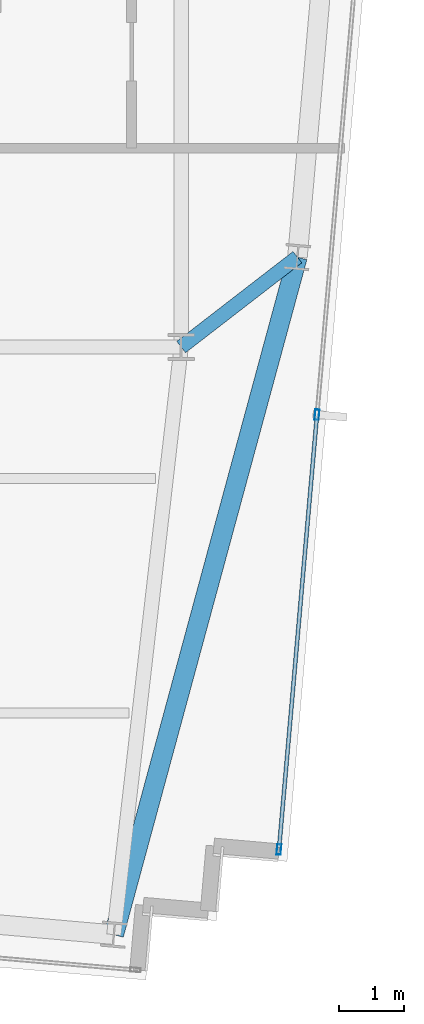
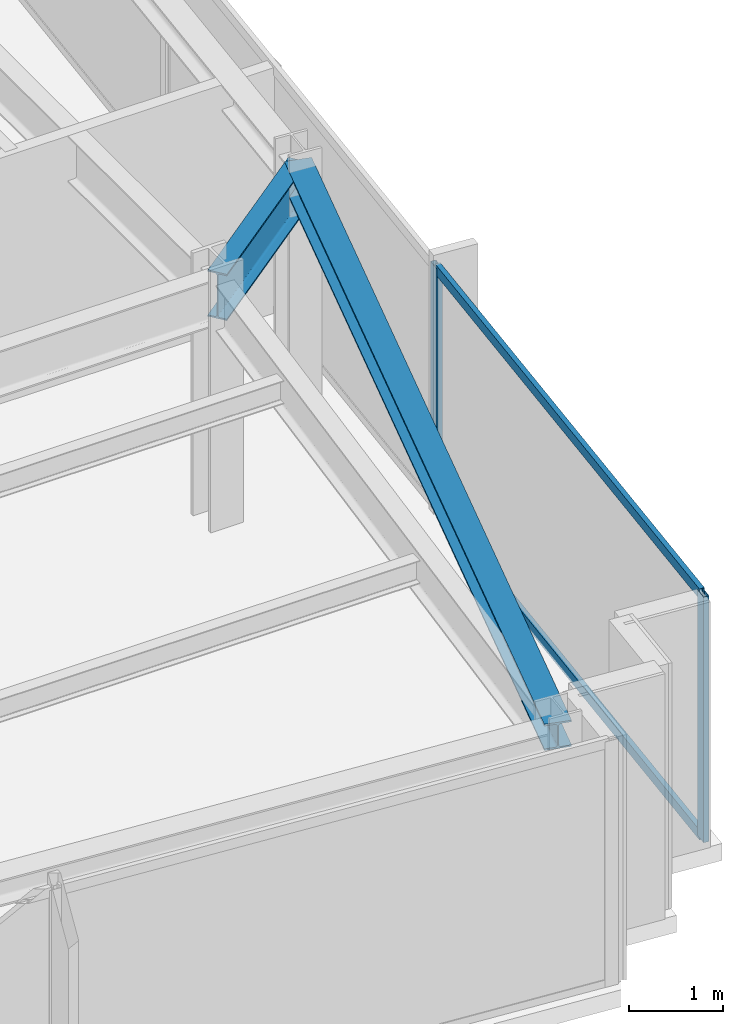
# One storey, part 16 of 32: 4 members, 2 beams, 1 element without a shape of its own.
"""IFC4 building model written with IfcOpenShell, lengths in metres."""

from ifc_helpers import new_model, si_unit, direction, frame, origin, origin_2d, place, context, subcontext, project, spatial, hollow_rectangle, i_section, extrude, material, material_profile, profile_set, type_object, element, aggregate, save


model = new_model("IFC4")

# Units and contexts
model_context = context("Model", 3, precision=1e-05, world=origin(), true_north=direction((0.0, 1.0)))
body_context = subcontext(model_context, "Body", "Model", "MODEL_VIEW")
ifc_project = project(units=[si_unit("LENGTHUNIT", "METRE"), si_unit("AREAUNIT", "SQUARE_METRE"), si_unit("VOLUMEUNIT", "CUBIC_METRE"), si_unit("PLANEANGLEUNIT", "RADIAN"), si_unit("MASSUNIT", "GRAM", prefix="KILO")], contexts=[model_context])

# Site, building, storey
site_placement = place(None, origin())
site = spatial("IfcSite", under=ifc_project, at=site_placement, CompositionType="ELEMENT")
building_placement = place(site_placement, origin())
building = spatial("IfcBuilding", under=site, at=building_placement, Name="Yelkora Congress Tower", CompositionType="ELEMENT")
storey_placement = place(building_placement, frame((0.0, 0.0, 269.300048828125)))
storey = spatial("IfcBuildingStorey", under=building, at=storey_placement, Name="L75", CompositionType="ELEMENT", Elevation=269.300048828125)

# Beams
ifc_material_1 = material(Name="Steel S355J2", Category="steel")
ifc_material_profile_1 = material_profile(ifc_material_1, i_section(OverallWidth=0.219970703125, OverallDepth=0.60009765625, WebThickness=0.011962890625, FlangeThickness=0.01904296875, FilletRadius=0.02392578125, at=origin_2d()), Name="IPE 600")
ifc_profile_set_1 = profile_set([ifc_material_profile_1], Name="Steel S355J2")
beam_type_1 = type_object("IfcBeamType", Name="BM-GIRD-IPE600", PredefinedType="BEAM", material=ifc_profile_set_1)
beam_1_placement = place(storey_placement, frame((55.543701171875, 26.57861328125, 2.8798828125), z_axis=(-0.791208781933, -0.611546125318, 0.0), x_axis=(0.611546125318, -0.791208781933, 0.0)))
element("IfcBeam", 1, at=beam_1_placement, inside=storey, type_object=beam_type_1, Name="L75 Primary Frame Girder E01", PredefinedType="BEAM", context=body_context, shape_type="SweptSolid", body=[
    extrude(i_section(OverallWidth=0.219970703125, OverallDepth=0.60009765625, WebThickness=0.011962890625, FlangeThickness=0.01904296875, FilletRadius=0.02392578125, at=origin_2d()), origin(), (0.0, 0.0, 1.0), 2.25439453125),
])
ifc_material_profile_2 = material_profile(ifc_material_1, i_section(OverallWidth=0.300048828125, OverallDepth=0.340087890625, WebThickness=0.011962890625, FlangeThickness=0.021484375, FilletRadius=0.027099609375, at=origin_2d()), Name="HEB 340")
ifc_profile_set_2 = profile_set([ifc_material_profile_2], Name="Steel S355J2")
beam_type_2 = type_object("IfcBeamType", Name="BM-SPAN-HEB340", PredefinedType="SPANDREL", material=ifc_profile_set_2)
beam_2_placement = place(storey_placement, frame((52.727294921875, 16.1845703125, 3.010009765625), z_axis=(0.261532523212, 0.965194663942, 0.0), x_axis=(-0.965194663942, 0.261532523212, 0.0)))
element("IfcBeam", 2, at=beam_2_placement, inside=storey, type_object=beam_type_2, Name="L75 Perimeter Beam 7", PredefinedType="SPANDREL", context=body_context, shape_type="SweptSolid", body=[
    extrude(i_section(OverallWidth=0.300048828125, OverallDepth=0.340087890625, WebThickness=0.011962890625, FlangeThickness=0.021484375, FilletRadius=0.027099609375, at=origin_2d()), origin(), (0.0, 0.0, 1.0), 10.768798828125),
])

# Curtain wall, members
ifc_material_2 = material(Name="Anodised aluminium and insulated glass", Category="aluminium")
curtain_wall_type = type_object("IfcCurtainWallType", Name="CW-SYS-B5", PredefinedType="NOTDEFINED", material=ifc_material_2)
curtain_wall_placement = place(storey_placement, origin())
curtain_wall = element("IfcCurtainWall", 3, at=curtain_wall_placement, inside=storey, type_object=curtain_wall_type, Name="L75 Unitised Curtain Wall 15", PredefinedType="NOTDEFINED")
ifc_material_3 = material(Name="Anodised aluminium 6063-T6", Category="aluminium")
ifc_material_profile_3 = material_profile(ifc_material_3, hollow_rectangle(XDim=0.06494140625, YDim=0.159912109375, WallThickness=0.00390625, at=origin_2d()), Name="ALU 65x160x4")
ifc_profile_set_3 = profile_set([ifc_material_profile_3], Name="Anodised aluminium 6063-T6")
member_type_1 = type_object("IfcMemberType", Name="MEM-ML-B5", PredefinedType="MULLION", material=ifc_profile_set_3)
member_1_placement = place(storey_placement, frame((55.844482421875, 24.1630859375, 0.0), z_axis=(0.0, 0.0, 1.0), x_axis=(0.996194463398, -0.087158425264, 0.0)))
member_1 = element("IfcMember", 4, at=member_1_placement, type_object=member_type_1, Name="CW-B5 mullion 4", PredefinedType="MULLION", context=body_context, shape_type="SweptSolid", body=[
    extrude(hollow_rectangle(XDim=0.06494140625, YDim=0.159912109375, WallThickness=0.00390625, at=origin_2d()), origin(), (0.0, 0.0, 1.0), 3.179931640625),
])
member_2_placement = place(storey_placement, frame((55.2607421875, 17.4912109375, 0.0), z_axis=(0.0, 0.0, 1.0), x_axis=(0.996194463398, -0.087158425264, 0.0)))
member_2 = element("IfcMember", 5, at=member_2_placement, type_object=member_type_1, Name="CW-B5 mullion 5", PredefinedType="MULLION", context=body_context, shape_type="SweptSolid", body=[
    extrude(hollow_rectangle(XDim=0.06494140625, YDim=0.159912109375, WallThickness=0.00390625, at=origin_2d()), origin(), (0.0, 0.0, 1.0), 3.179931640625),
])
ifc_material_profile_4 = material_profile(ifc_material_3, hollow_rectangle(XDim=0.06005859375, YDim=0.1298828125, WallThickness=0.00390625, at=origin_2d()), Name="ALU 60x130x4")
ifc_profile_set_4 = profile_set([ifc_material_profile_4], Name="Anodised aluminium 6063-T6")
member_type_2 = type_object("IfcMemberType", Name="MEM-TR-B5", PredefinedType="USERDEFINED", material=ifc_profile_set_4)
member_3_placement = place(storey_placement, frame((55.841552734375, 24.130859375, 0.030029296875), z_axis=(-0.087163297365, -0.996194037119, 0.0), x_axis=(0.996194037119, -0.087163297365, 0.0)))
member_3 = element("IfcMember", 6, at=member_3_placement, type_object=member_type_2, Name="CW-B5 transom 4.1", ObjectType="TRANSOM", PredefinedType="USERDEFINED", context=body_context, shape_type="SweptSolid", body=[
    extrude(hollow_rectangle(XDim=0.06005859375, YDim=0.1298828125, WallThickness=0.00390625, at=origin_2d()), origin(), (0.0, 0.0, 1.0), 6.632568359375),
])
member_4_placement = place(storey_placement, frame((55.841552734375, 24.130859375, 3.14990234375), z_axis=(-0.087163297365, -0.996194037119, 0.0), x_axis=(0.996194037119, -0.087163297365, 0.0)))
member_4 = element("IfcMember", 7, at=member_4_placement, type_object=member_type_2, Name="CW-B5 transom 4.2", ObjectType="TRANSOM", PredefinedType="USERDEFINED", context=body_context, shape_type="SweptSolid", body=[
    extrude(hollow_rectangle(XDim=0.06005859375, YDim=0.1298828125, WallThickness=0.00390625, at=origin_2d()), origin(), (0.0, 0.0, 1.0), 6.632568359375),
])
aggregate(curtain_wall, [member_1, member_2, member_3, member_4])

save(model, "model.ifc")
